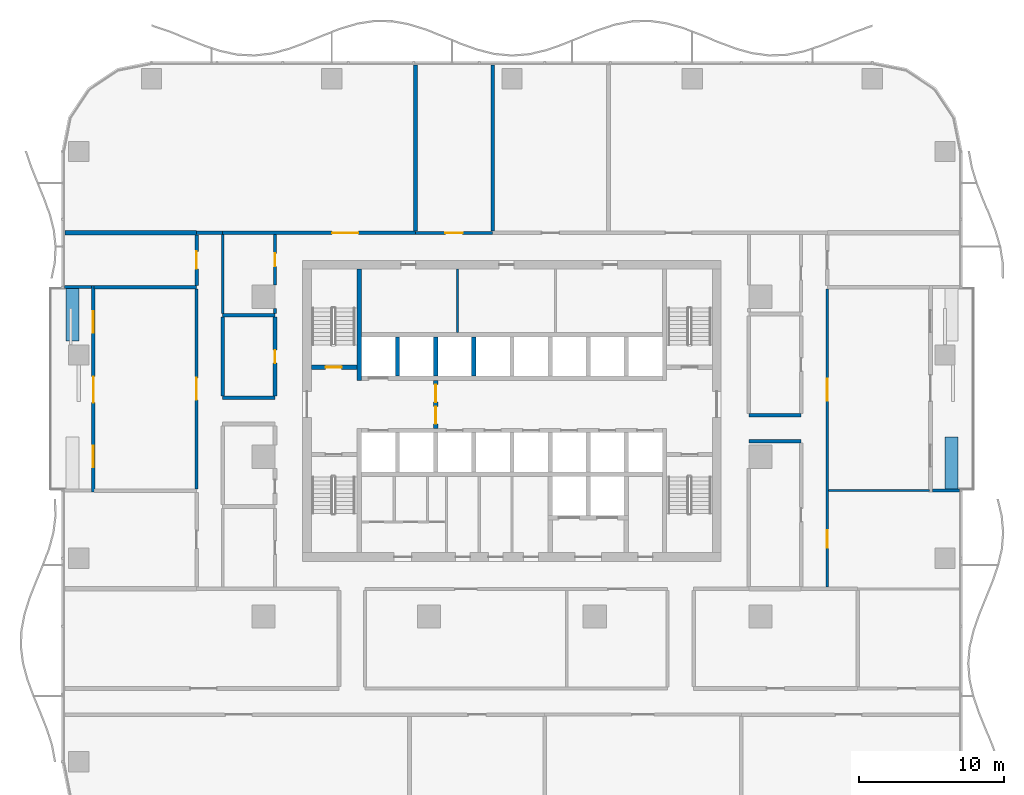
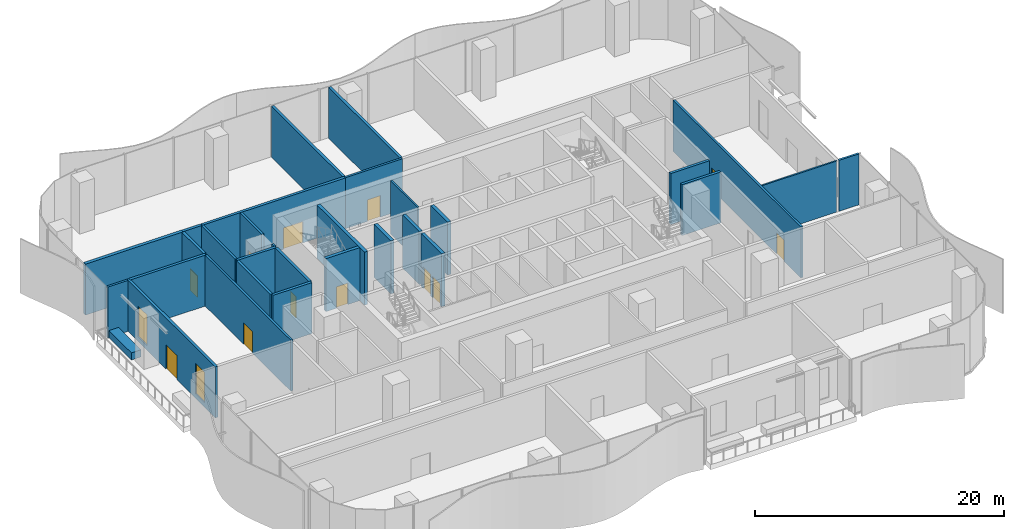
# One storey, part 10 of 21: 32 walls, 12 doors, 2 windows, 14 openings.
"""IFC4 building model written with IfcOpenShell, lengths in metres."""

from ifc_helpers import new_model, si_unit, direction, frame, frame_2d, origin, place, context, subcontext, project, spatial, rectangle, extrude, material, layer, layer_set, type_object, element, fill, save


model = new_model("IFC4")

# Units and contexts
model_context = context("Model", 3, precision=1e-05, world=origin(), true_north=direction((0.0, 1.0)))
body_context = subcontext(model_context, "Body", "Model", "MODEL_VIEW")
ifc_project = project(units=[si_unit("LENGTHUNIT", "METRE"), si_unit("AREAUNIT", "SQUARE_METRE"), si_unit("VOLUMEUNIT", "CUBIC_METRE"), si_unit("PLANEANGLEUNIT", "RADIAN"), si_unit("MASSUNIT", "GRAM", prefix="KILO")], contexts=[model_context])

# Site, building, storey
site_placement = place(None, origin())
site = spatial("IfcSite", under=ifc_project, at=site_placement, CompositionType="ELEMENT")
building_placement = place(site_placement, origin())
building = spatial("IfcBuilding", under=site, at=building_placement, Name="Mopane Tessera Tower", CompositionType="ELEMENT")
storey_placement = place(building_placement, frame((0.0, 0.0, 20.0)))
storey = spatial("IfcBuildingStorey", under=building, at=storey_placement, Name="L03", CompositionType="ELEMENT", Elevation=20.0)

# Walls
ifc_material_1 = material(Name="Fire-rated gypsum board partition")
ifc_layer_1 = layer(ifc_material_1, 0.14990234375)
ifc_layer_set_1 = layer_set([ifc_layer_1], Name="Fire-rated gypsum board partition")
wall_type_1 = type_object("IfcWallType", Name="Core room partition 150 mm", PredefinedType="PARTITIONING", material=ifc_layer_set_1)
wall_1_placement = place(storey_placement, frame((-3.75, 8.550048828125, 0.0), z_axis=(0.0, 0.0, 1.0), x_axis=(0.0, 1.0, 0.0)))
element("IfcWall", 1, at=wall_1_placement, inside=storey, type_object=wall_type_1, Name="L03 Room partition", PredefinedType="PARTITIONING", context=body_context, shape_type="SweptSolid", body=[
    extrude(rectangle(XDim=4.349853515625, YDim=0.14990234375, at=frame_2d((2.1748046875, 0.0))), origin(), (0.0, 0.0, 1.0), 5.199951171875),
])
ifc_material_2 = material(Name="Concrete C60/75", Category="concrete")
ifc_layer_2 = layer(ifc_material_2, 0.300048828125)
ifc_layer_set_2 = layer_set([ifc_layer_2], Name="Concrete C60/75")
wall_type_2 = type_object("IfcWallType", Name="Core spine wall 300 mm", PredefinedType="SHEAR", material=ifc_layer_set_2)
wall_2_placement = place(storey_placement, frame((-10.5, 5.25, 0.0), z_axis=(0.0, 0.0, 1.0), x_axis=(0.0, 1.0, 0.0)))
element("IfcWall", 2, at=wall_2_placement, inside=storey, type_object=wall_type_2, Name="L03 Core spine wall", PredefinedType="SHEAR", context=body_context, shape_type="SweptSolid", body=[
    extrude(rectangle(XDim=7.64990234375, YDim=0.300048828125, at=frame_2d((3.824951171875, 0.0))), origin(), (0.0, 0.0, 1.0), 5.199951171875),
])

# Wall, opening, door
ifc_material_3 = material(Name="Gypsum board on steel studs, two layers each face, mineral wool infill", Category="steel")
ifc_layer_3 = layer(ifc_material_3, 0.199951171875)
ifc_layer_set_3 = layer_set([ifc_layer_3], Name="Gypsum board on steel studs, two layers each face, mineral wool infill")
wall_type_3 = type_object("IfcWallType", Name="Gypsum board corridor wall 200, rated EI 60", PredefinedType="PARTITIONING", material=ifc_layer_set_3)
wall_3_placement = place(storey_placement, frame((-6.639892578125, 15.39990234375, 0.0), z_axis=(0.0, 0.0, 1.0), x_axis=(1.0, 0.0, 0.0)))
wall_3 = element("IfcWall", 3, at=wall_3_placement, inside=storey, type_object=wall_type_3, Name="Partition L03:025", PredefinedType="PARTITIONING", context=body_context, shape_type="SweptSolid", body=[
    extrude(rectangle(XDim=5.309814453125, YDim=0.199951171875, at=frame_2d((2.65478515625, 0.0))), origin(), (0.0, 0.0, 1.0), 5.0),
])
opening_1_placement = place(wall_3_placement, frame((2.054931640625, 0.0, 0.0)))
opening_1 = element("IfcOpeningElement", 4, at=opening_1_placement, cuts=wall_3, Name="Opening L03-24", PredefinedType="OPENING", context=body_context, shape_type="SweptSolid", body=[
    extrude(rectangle(XDim=1.199951171875, YDim=2.10009765625, at=frame_2d((0.60009765625, 1.050048828125))), frame((0.0, 0.112060546875, 0.0), z_axis=(0.0, -1.0, 0.0), x_axis=(1.0, 0.0, 0.0)), (0.0, 0.0, 1.0), 0.223876953125),
])
ifc_material_4 = material(Name="Timber veneered steel-framed fire door", Category="steel")
door_type_1 = type_object("IfcDoorType", Name="Fire door FD60 1200 x 2100", OperationType="SINGLE_SWING_LEFT", PredefinedType="DOOR", material=ifc_material_4)
door_1_placement = place(opening_1_placement, origin())
door_1 = element("IfcDoor", 5, at=door_1_placement, inside=storey, type_object=door_type_1, Name="Door L03-24", ObjectType="D15A", OperationType="SINGLE_SWING_LEFT", OverallHeight=2.10009765625, OverallWidth=1.199951171875, PredefinedType="DOOR", context=body_context, shape_type="SweptSolid", body=[
    extrude(rectangle(XDim=1.199951171875, YDim=2.10009765625, at=frame_2d((0.60009765625, 1.050048828125))), frame((0.0, 0.02490234375, 0.0), z_axis=(0.0, -1.0, 0.0), x_axis=(1.0, 0.0, 0.0)), (0.0, 0.0, 1.0), 0.050048828125),
])
fill(opening_1, door_1)

wall_4_placement = place(storey_placement, frame((-21.699951171875, -2.2099609375, 0.0), z_axis=(0.0, 0.0, 1.0), x_axis=(0.0, 1.0, 0.0)))
wall_4 = element("IfcWall", 6, at=wall_4_placement, inside=storey, type_object=wall_type_3, Name="Partition L03:031", PredefinedType="PARTITIONING", context=body_context, shape_type="SweptSolid", body=[
    extrude(rectangle(XDim=13.75, YDim=0.199951171875, at=frame_2d((6.875, 0.0))), origin(), (0.0, 0.0, 1.0), 5.0),
])
opening_2_placement = place(wall_4_placement, frame((6.125, 0.0, 0.0)))
opening_2 = element("IfcOpeningElement", 7, at=opening_2_placement, cuts=wall_4, Name="Opening L03-18", PredefinedType="OPENING", context=body_context, shape_type="SweptSolid", body=[
    extrude(rectangle(XDim=1.5, YDim=2.10009765625, at=frame_2d((0.75, 1.050048828125))), frame((0.0, 0.112060546875, 0.0), z_axis=(0.0, -1.0, 0.0), x_axis=(1.0, 0.0, 0.0)), (0.0, 0.0, 1.0), 0.223876953125),
])
ifc_material_5 = material(Name="Timber veneered steel-framed fire door", Category="steel")
door_type_2 = type_object("IfcDoorType", Name="Fire door pair FD60 1500 x 2100", OperationType="DOUBLE_DOOR_SINGLE_SWING", PredefinedType="DOOR", material=ifc_material_5)
door_2_placement = place(opening_2_placement, origin())
door_2 = element("IfcDoor", 8, at=door_2_placement, inside=storey, type_object=door_type_2, Name="Door L03-18", ObjectType="D17A", OperationType="DOUBLE_DOOR_SINGLE_SWING", OverallHeight=2.10009765625, OverallWidth=1.5, PredefinedType="DOOR", context=body_context, shape_type="SweptSolid", body=[
    extrude(rectangle(XDim=1.5, YDim=2.10009765625, at=frame_2d((0.75, 1.050048828125))), frame((0.0, 0.02490234375, 0.0), z_axis=(0.0, -1.0, 0.0), x_axis=(1.0, 0.0, 0.0)), (0.0, 0.0, 1.0), 0.050048828125),
])
fill(opening_2, door_2)

# Walls
wall_5_placement = place(storey_placement, frame((-19.89990234375, 9.85009765625, 0.0), z_axis=(0.0, 0.0, 1.0), x_axis=(0.0, 1.0, 0.0)))
element("IfcWall", 9, at=wall_5_placement, inside=storey, type_object=wall_type_3, Name="Partition L03:035", PredefinedType="PARTITIONING", context=body_context, shape_type="SweptSolid", body=[
    extrude(rectangle(XDim=5.4248046875, YDim=0.199951171875, at=frame_2d((2.71240234375, 0.0))), origin(), (0.0, 0.0, 1.0), 5.0),
])
wall_6_placement = place(storey_placement, frame((-16.300048828125, 9.85009765625, 0.0), z_axis=(0.0, 0.0, 1.0), x_axis=(0.0, 1.0, 0.0)))
element("IfcWall", 10, at=wall_6_placement, inside=storey, type_object=wall_type_3, Name="Partition L03:039", PredefinedType="PARTITIONING", context=body_context, shape_type="SweptSolid", body=[
    extrude(rectangle(XDim=0.349853515625, YDim=0.199951171875, at=frame_2d((0.1748046875, 0.0))), origin(), (0.0, 0.0, 1.0), 5.0),
])

# Wall, opening, door
wall_7_placement = place(storey_placement, frame((-16.300048828125, 11.800048828125, 0.0), z_axis=(0.0, 0.0, 1.0), x_axis=(0.0, 1.0, 0.0)))
wall_7 = element("IfcWall", 11, at=wall_7_placement, inside=storey, type_object=wall_type_3, Name="Partition L03:040", PredefinedType="PARTITIONING", context=body_context, shape_type="SweptSolid", body=[
    extrude(rectangle(XDim=3.474853515625, YDim=0.199951171875, at=frame_2d((1.7373046875, 0.0))), origin(), (0.0, 0.0, 1.0), 5.0),
])
opening_3_placement = place(wall_7_placement, frame((1.28759765625, 0.0, 0.0)))
opening_3 = element("IfcOpeningElement", 12, at=opening_3_placement, cuts=wall_7, Name="Opening L03-23", PredefinedType="OPENING", context=body_context, shape_type="SweptSolid", body=[
    extrude(rectangle(XDim=0.89990234375, YDim=2.10009765625, at=frame_2d((0.449951171875, 1.050048828125))), frame((0.0, 0.112060546875, 0.0), z_axis=(0.0, -1.0, 0.0), x_axis=(1.0, 0.0, 0.0)), (0.0, 0.0, 1.0), 0.223876953125),
])
ifc_material_6 = material(Name="Timber veneered steel-framed fire door", Category="steel")
door_type_3 = type_object("IfcDoorType", Name="Fire door FD60 900 x 2100", OperationType="SINGLE_SWING_LEFT", PredefinedType="DOOR", material=ifc_material_6)
door_3_placement = place(opening_3_placement, origin())
door_3 = element("IfcDoor", 13, at=door_3_placement, inside=storey, type_object=door_type_3, Name="Door L03-23", ObjectType="D10A", OperationType="SINGLE_SWING_RIGHT", OverallHeight=2.10009765625, OverallWidth=0.89990234375, PredefinedType="DOOR", context=body_context, shape_type="SweptSolid", body=[
    extrude(rectangle(XDim=0.89990234375, YDim=2.10009765625, at=frame_2d((0.449951171875, 1.050048828125))), frame((0.0, 0.02490234375, 0.0), z_axis=(0.0, -1.0, 0.0), x_axis=(1.0, 0.0, 0.0)), (0.0, 0.0, 1.0), 0.050048828125),
])
fill(opening_3, door_3)

# Wall, openings, doors
wall_8_placement = place(storey_placement, frame((21.699951171875, -8.97509765625, 0.0), z_axis=(0.0, 0.0, 1.0), x_axis=(0.0, 1.0, 0.0)))
wall_8 = element("IfcWall", 14, at=wall_8_placement, inside=storey, type_object=wall_type_3, Name="Partition L03:062", PredefinedType="PARTITIONING", context=body_context, shape_type="SweptSolid", body=[
    extrude(rectangle(XDim=20.51513671875, YDim=0.199951171875, at=frame_2d((10.257568359375, 0.0))), origin(), (0.0, 0.0, 1.0), 5.0),
])
opening_4_placement = place(wall_8_placement, frame((2.719970703125, 0.0, 0.0)))
opening_4 = element("IfcOpeningElement", 15, at=opening_4_placement, cuts=wall_8, Name="Opening L03-03", PredefinedType="OPENING", context=body_context, shape_type="SweptSolid", body=[
    extrude(rectangle(XDim=1.199951171875, YDim=2.10009765625, at=frame_2d((0.60009765625, 1.050048828125))), frame((0.0, 0.112060546875, 0.0), z_axis=(0.0, -1.0, 0.0), x_axis=(1.0, 0.0, 0.0)), (0.0, 0.0, 1.0), 0.223876953125),
])
opening_5_placement = place(wall_8_placement, frame((12.827392578125, 0.0, 0.0)))
opening_5 = element("IfcOpeningElement", 16, at=opening_5_placement, cuts=wall_8, Name="Opening L03-20", PredefinedType="OPENING", context=body_context, shape_type="SweptSolid", body=[
    extrude(rectangle(XDim=1.5, YDim=2.10009765625, at=frame_2d((0.75, 1.050048828125))), frame((0.0, 0.112060546875, 0.0), z_axis=(0.0, -1.0, 0.0), x_axis=(1.0, 0.0, 0.0)), (0.0, 0.0, 1.0), 0.223876953125),
])
door_4_placement = place(opening_4_placement, origin())
door_4 = element("IfcDoor", 17, at=door_4_placement, inside=storey, type_object=door_type_1, Name="Door L03-03", ObjectType="D15A", OperationType="SINGLE_SWING_LEFT", OverallHeight=2.10009765625, OverallWidth=1.199951171875, PredefinedType="DOOR", context=body_context, shape_type="SweptSolid", body=[
    extrude(rectangle(XDim=1.199951171875, YDim=2.10009765625, at=frame_2d((0.60009765625, 1.050048828125))), frame((0.0, 0.02490234375, 0.0), z_axis=(0.0, -1.0, 0.0), x_axis=(1.0, 0.0, 0.0)), (0.0, 0.0, 1.0), 0.050048828125),
])
fill(opening_4, door_4)
door_5_placement = place(opening_5_placement, origin())
door_5 = element("IfcDoor", 18, at=door_5_placement, inside=storey, type_object=door_type_2, Name="Door L03-20", ObjectType="D17A", OperationType="DOUBLE_DOOR_SINGLE_SWING", OverallHeight=2.10009765625, OverallWidth=1.5, PredefinedType="DOOR", context=body_context, shape_type="SweptSolid", body=[
    extrude(rectangle(XDim=1.5, YDim=2.10009765625, at=frame_2d((0.75, 1.050048828125))), frame((0.0, 0.02490234375, 0.0), z_axis=(0.0, -1.0, 0.0), x_axis=(1.0, 0.0, 0.0)), (0.0, 0.0, 1.0), 0.050048828125),
])
fill(opening_5, door_5)

# Wall
ifc_material_7 = material(Name="Gypsum board on steel studs, mineral wool infill", Category="steel")
ifc_layer_4 = layer(ifc_material_7, 0.14990234375)
ifc_layer_set_4 = layer_set([ifc_layer_4], Name="Gypsum board on steel studs, mineral wool infill")
wall_type_4 = type_object("IfcWallType", Name="Gypsum board partition 150, rated EI 60", PredefinedType="PARTITIONING", material=ifc_layer_set_4)
wall_9_placement = place(storey_placement, frame((21.800048828125, -2.3349609375, 0.0), z_axis=(0.0, 0.0, 1.0), x_axis=(1.0, 0.0, 0.0)))
element("IfcWall", 19, at=wall_9_placement, inside=storey, type_object=wall_type_4, Name="Partition L03:015", PredefinedType="PARTITIONING", context=body_context, shape_type="SweptSolid", body=[
    extrude(rectangle(XDim=6.949951171875, YDim=0.14990234375, at=frame_2d((3.47509765625, 0.0))), origin(), (0.0, 0.0, 1.0), 5.0),
])

# Wall, opening, door
ifc_material_8 = material(Name="Concrete C50/60", Category="concrete")
ifc_layer_5 = layer(ifc_material_8, 0.300048828125)
ifc_layer_set_5 = layer_set([ifc_layer_5], Name="Concrete C50/60")
wall_type_5 = type_object("IfcWallType", Name="Lift and stair shaft wall 300 mm", PredefinedType="SOLIDWALL", material=ifc_layer_set_5)
wall_10_placement = place(storey_placement, frame((-13.800048828125, 6.14990234375, 0.0), z_axis=(0.0, 0.0, 1.0), x_axis=(1.0, 0.0, 0.0)))
wall_10 = element("IfcWall", 20, at=wall_10_placement, inside=storey, type_object=wall_type_5, Name="L03 Stair enclosure wall", PredefinedType="SOLIDWALL", context=body_context, shape_type="SweptSolid", body=[
    extrude(rectangle(XDim=3.150146484375, YDim=0.300048828125, at=frame_2d((1.5751953125, 0.0))), origin(), (0.0, 0.0, 1.0), 5.199951171875),
])
opening_6_placement = place(wall_10_placement, frame((0.97509765625, 0.0, 0.0)))
opening_6 = element("IfcOpeningElement", 21, at=opening_6_placement, cuts=wall_10, Name="Opening SD1", PredefinedType="OPENING", context=body_context, shape_type="SweptSolid", body=[
    extrude(rectangle(XDim=1.10009765625, YDim=2.10009765625, at=frame_2d((0.550048828125, 1.050048828125))), frame((0.0, 0.162109375, 0.0), z_axis=(0.0, -1.0, 0.0), x_axis=(1.0, 0.0, 0.0)), (0.0, 0.0, 1.0), 0.323974609375),
])
ifc_material_9 = material(Name="Steel fire door", Category="steel")
door_type_4 = type_object("IfcDoorType", Name="Stair fire door 1100 x 2100", OperationType="SINGLE_SWING_LEFT", PredefinedType="DOOR", material=ifc_material_9)
door_6_placement = place(opening_6_placement, origin())
door_6 = element("IfcDoor", 22, at=door_6_placement, inside=storey, type_object=door_type_4, Name="L03 Stair door ST2", OperationType="SINGLE_SWING_LEFT", OverallHeight=2.10009765625, OverallWidth=1.10009765625, PredefinedType="DOOR", context=body_context, shape_type="SweptSolid", body=[
    extrude(rectangle(XDim=1.10009765625, YDim=2.10009765625, at=frame_2d((0.550048828125, 1.050048828125))), frame((0.0, 0.02490234375, 0.0), z_axis=(0.0, -1.0, 0.0), x_axis=(1.0, 0.0, 0.0)), (0.0, 0.0, 1.0), 0.050048828125),
])
fill(opening_6, door_6)

# Walls
for number, where, z_axis, x_axis, name in (
    (23, (-7.875, 5.550048828125, 0.0), (0.0, 0.0, 1.0), (0.0, 1.0, 0.0), "L03 Lift shaft wall"),
    (24, (-5.25, 5.550048828125, 0.0), (0.0, 0.0, 1.0), (0.0, 1.0, 0.0), "L03 Lift shaft wall"),
    (25, (-2.625, 5.550048828125, 0.0), (0.0, 0.0, 1.0), (0.0, 1.0, 0.0), "L03 Lift shaft wall"),
):
    element("IfcWall", number, at=place(storey_placement, frame(where, z_axis=z_axis, x_axis=x_axis)), inside=storey, type_object=wall_type_5, Name=name, PredefinedType="SOLIDWALL", context=body_context, shape_type="SweptSolid", body=[
        extrude(rectangle(XDim=2.699951171875, YDim=0.300048828125, at=frame_2d((1.35009765625, 0.0))), origin(), (0.0, 0.0, 1.0), 5.199951171875),
    ])

# Wall, openings, doors
ifc_material_10 = material(Name="Concrete C50/60", Category="concrete")
ifc_layer_6 = layer(ifc_material_10, 0.300048828125)
ifc_layer_set_6 = layer_set([ifc_layer_6], Name="Concrete C50/60")
wall_type_6 = type_object("IfcWallType", Name="Lobby and refuge room wall 300 mm", PredefinedType="SOLIDWALL", material=ifc_layer_set_6)
wall_11_placement = place(storey_placement, frame((-5.25, 1.949951171875, 0.0), z_axis=(0.0, 0.0, 1.0), x_axis=(0.0, 1.0, 0.0)))
wall_11 = element("IfcWall", 26, at=wall_11_placement, inside=storey, type_object=wall_type_6, Name="L03 Fire-fighting lobby wall", PredefinedType="SOLIDWALL", context=body_context, shape_type="SweptSolid", body=[
    extrude(rectangle(XDim=3.300048828125, YDim=0.300048828125, at=frame_2d((1.64990234375, 0.0))), origin(), (0.0, 0.0, 1.0), 5.199951171875),
])
opening_7_placement = place(wall_11_placement, frame((0.300048828125, 0.0, 0.0)))
opening_7 = element("IfcOpeningElement", 27, at=opening_7_placement, cuts=wall_11, Name="Opening SD3", PredefinedType="OPENING", context=body_context, shape_type="SweptSolid", body=[
    extrude(rectangle(XDim=1.199951171875, YDim=2.10009765625, at=frame_2d((0.60009765625, 1.050048828125))), frame((0.0, 0.162109375, 0.0), z_axis=(0.0, -1.0, 0.0), x_axis=(1.0, 0.0, 0.0)), (0.0, 0.0, 1.0), 0.323974609375),
])
opening_8_placement = place(wall_11_placement, frame((1.800048828125, 0.0, 0.0)))
opening_8 = element("IfcOpeningElement", 28, at=opening_8_placement, cuts=wall_11, Name="Opening SD3", PredefinedType="OPENING", context=body_context, shape_type="SweptSolid", body=[
    extrude(rectangle(XDim=1.199951171875, YDim=2.10009765625, at=frame_2d((0.60009765625, 1.050048828125))), frame((0.0, 0.162109375, 0.0), z_axis=(0.0, -1.0, 0.0), x_axis=(1.0, 0.0, 0.0)), (0.0, 0.0, 1.0), 0.323974609375),
])
ifc_material_11 = material(Name="Steel fire door", Category="steel")
door_type_5 = type_object("IfcDoorType", Name="Lobby fire door 1200 x 2100", OperationType="SINGLE_SWING_LEFT", PredefinedType="DOOR", material=ifc_material_11)
door_7_placement = place(opening_7_placement, origin())
door_7 = element("IfcDoor", 29, at=door_7_placement, inside=storey, type_object=door_type_5, Name="L03 Fire-fighting lobby door", OperationType="SINGLE_SWING_LEFT", OverallHeight=2.10009765625, OverallWidth=1.199951171875, PredefinedType="DOOR", context=body_context, shape_type="SweptSolid", body=[
    extrude(rectangle(XDim=1.199951171875, YDim=2.10009765625, at=frame_2d((0.60009765625, 1.050048828125))), frame((0.0, 0.02490234375, 0.0), z_axis=(0.0, -1.0, 0.0), x_axis=(1.0, 0.0, 0.0)), (0.0, 0.0, 1.0), 0.050048828125),
])
fill(opening_7, door_7)
door_8_placement = place(opening_8_placement, origin())
door_8 = element("IfcDoor", 30, at=door_8_placement, inside=storey, type_object=door_type_5, Name="L03 Fire-fighting lobby door", OperationType="SINGLE_SWING_RIGHT", OverallHeight=2.10009765625, OverallWidth=1.199951171875, PredefinedType="DOOR", context=body_context, shape_type="SweptSolid", body=[
    extrude(rectangle(XDim=1.199951171875, YDim=2.10009765625, at=frame_2d((0.60009765625, 1.050048828125))), frame((0.0, 0.02490234375, 0.0), z_axis=(0.0, -1.0, 0.0), x_axis=(1.0, 0.0, 0.0)), (0.0, 0.0, 1.0), 0.050048828125),
])
fill(opening_8, door_8)

# Walls
ifc_material_12 = material(Name="Reinforced concrete C32/40 with waterproofing", Category="concrete")
ifc_layer_7 = layer(ifc_material_12, 0.89990234375)
ifc_layer_set_7 = layer_set([ifc_layer_7], Name="Reinforced concrete C32/40 with waterproofing")
wall_type_7 = type_object("IfcWallType", Name="Planter trough 3600 x 900", PredefinedType="STANDARD", material=ifc_layer_set_7)
for number, where, z_axis, x_axis, name in (
    (31, (30.25, -2.2333984375, 0.0), (0.0, 0.0, 1.0), (0.0, 1.0, 0.0), "e:nw:L03:N2:pl0"),
    (32, (-30.25, 11.566650390625, 0.0), (0.0, 0.0, 1.0), (0.0, -1.0, 0.0), "e:nw:L03:N3:pl0"),
):
    element("IfcWall", number, at=place(storey_placement, frame(where, z_axis=z_axis, x_axis=x_axis)), inside=storey, type_object=wall_type_7, Name=name, PredefinedType="STANDARD", context=body_context, shape_type="SweptSolid", body=[
        extrude(rectangle(XDim=3.60009765625, YDim=0.89990234375, at=frame_2d((1.800048828125, 0.0))), origin(), (0.0, 0.0, 1.0), 0.699951171875),
    ])
ifc_material_13 = material(Name="Plastered concrete blockwork C20/25", Category="masonry")
ifc_layer_8 = layer(ifc_material_13, 0.300048828125)
ifc_layer_set_8 = layer_set([ifc_layer_8], Name="Plastered concrete blockwork C20/25")
wall_type_8 = type_object("IfcWallType", Name="Plastered blockwork separation wall 300, rated EI 120", PredefinedType="PARTITIONING", material=ifc_layer_set_8)
wall_12_placement = place(storey_placement, frame((-30.75, 15.39990234375, 0.0), z_axis=(0.0, 0.0, 1.0), x_axis=(1.0, 0.0, 0.0)))
element("IfcWall", 33, at=wall_12_placement, inside=storey, type_object=wall_type_8, Name="Partition L03:029", PredefinedType="PARTITIONING", context=body_context, shape_type="SweptSolid", body=[
    extrude(rectangle(XDim=9.050048828125, YDim=0.300048828125, at=frame_2d((4.52490234375, 0.0))), origin(), (0.0, 0.0, 1.0), 5.0),
])
ifc_material_14 = material(Name="Plastered concrete blockwork C20/25", Category="masonry")
ifc_layer_9 = layer(ifc_material_14, 0.25)
ifc_layer_set_9 = layer_set([ifc_layer_9], Name="Plastered concrete blockwork C20/25")
wall_type_9 = type_object("IfcWallType", Name="Plastered blockwork wall 250, rated EI 120", PredefinedType="PARTITIONING", material=ifc_layer_set_9)
for number, where, z_axis, x_axis, name in (
    (34, (16.300048828125, 1.050048828125, 0.0), (0.0, 0.0, 1.0), (1.0, 0.0, 0.0), "Partition L03:017"),
    (35, (16.300048828125, 2.85009765625, 0.0), (0.0, 0.0, 1.0), (1.0, 0.0, 0.0), "Partition L03:019"),
    (36, (-19.89990234375, 4.050048828125, 0.0), (0.0, 0.0, 1.0), (1.0, 0.0, 0.0), "Partition L03:020"),
    (37, (-19.89990234375, 9.72509765625, 0.0), (0.0, 0.0, 1.0), (1.0, 0.0, 0.0), "Partition L03:021"),
):
    element("IfcWall", number, at=place(storey_placement, frame(where, z_axis=z_axis, x_axis=x_axis)), inside=storey, type_object=wall_type_9, Name=name, PredefinedType="PARTITIONING", context=body_context, shape_type="SweptSolid", body=[
        extrude(rectangle(XDim=3.599853515625, YDim=0.25, at=frame_2d((1.7998046875, 0.0))), origin(), (0.0, 0.0, 1.0), 5.0),
    ])
wall_13_placement = place(storey_placement, frame((-28.75, 11.6650390625, 0.0), z_axis=(0.0, 0.0, 1.0), x_axis=(1.0, 0.0, 0.0)))
element("IfcWall", 38, at=wall_13_placement, inside=storey, type_object=wall_type_9, Name="Partition L03:023", PredefinedType="PARTITIONING", context=body_context, shape_type="SweptSolid", body=[
    extrude(rectangle(XDim=7.050048828125, YDim=0.25, at=frame_2d((3.52490234375, 0.0))), origin(), (0.0, 0.0, 1.0), 5.0),
])
wall_14_placement = place(storey_placement, frame((-21.699951171875, 15.39990234375, 0.0), z_axis=(0.0, 0.0, 1.0), x_axis=(1.0, 0.0, 0.0)))
element("IfcWall", 39, at=wall_14_placement, inside=storey, type_object=wall_type_9, Name="Partition L03:026", PredefinedType="PARTITIONING", context=body_context, shape_type="SweptSolid", body=[
    extrude(rectangle(XDim=1.77490234375, YDim=0.25, at=frame_2d((0.887451171875, 0.0))), origin(), (0.0, 0.0, 1.0), 5.0),
])

# Wall, opening, door
wall_15_placement = place(storey_placement, frame((-19.89990234375, 15.39990234375, 0.0), z_axis=(0.0, 0.0, 1.0), x_axis=(1.0, 0.0, 0.0)))
wall_15 = element("IfcWall", 40, at=wall_15_placement, inside=storey, type_object=wall_type_9, Name="Partition L03:027", PredefinedType="PARTITIONING", context=body_context, shape_type="SweptSolid", body=[
    extrude(rectangle(XDim=13.260009765625, YDim=0.25, at=frame_2d((6.6298828125, 0.0))), origin(), (0.0, 0.0, 1.0), 5.0),
])
opening_9_placement = place(wall_15_placement, frame((7.530029296875, 0.0, 0.0)))
opening_9 = element("IfcOpeningElement", 41, at=opening_9_placement, cuts=wall_15, Name="Opening L03-01", PredefinedType="OPENING", context=body_context, shape_type="SweptSolid", body=[
    extrude(rectangle(XDim=1.800048828125, YDim=2.10009765625, at=frame_2d((0.89990234375, 1.050048828125))), frame((0.0, 0.136962890625, 0.0), z_axis=(0.0, -1.0, 0.0), x_axis=(1.0, 0.0, 0.0)), (0.0, 0.0, 1.0), 0.27392578125),
])
ifc_material_15 = material(Name="Timber veneered steel-framed fire door", Category="steel")
door_type_6 = type_object("IfcDoorType", Name="Fire door pair FD120 1800 x 2100", OperationType="DOUBLE_DOOR_SINGLE_SWING", PredefinedType="DOOR", material=ifc_material_15)
door_9_placement = place(opening_9_placement, origin())
door_9 = element("IfcDoor", 42, at=door_9_placement, inside=storey, type_object=door_type_6, Name="Door L03-01", ObjectType="D20B", OperationType="DOUBLE_DOOR_SINGLE_SWING", OverallHeight=2.10009765625, OverallWidth=1.800048828125, PredefinedType="DOOR", context=body_context, shape_type="SweptSolid", body=[
    extrude(rectangle(XDim=1.800048828125, YDim=2.10009765625, at=frame_2d((0.89990234375, 1.050048828125))), frame((0.0, 0.02490234375, 0.0), z_axis=(0.0, -1.0, 0.0), x_axis=(1.0, 0.0, 0.0)), (0.0, 0.0, 1.0), 0.050048828125),
])
fill(opening_9, door_9)

wall_16_placement = place(storey_placement, frame((-21.699951171875, 11.7900390625, 0.0), z_axis=(0.0, 0.0, 1.0), x_axis=(0.0, 1.0, 0.0)))
wall_16 = element("IfcWall", 43, at=wall_16_placement, inside=storey, type_object=wall_type_9, Name="Partition L03:033", PredefinedType="PARTITIONING", context=body_context, shape_type="SweptSolid", body=[
    extrude(rectangle(XDim=3.4599609375, YDim=0.25, at=frame_2d((1.72998046875, 0.0))), origin(), (0.0, 0.0, 1.0), 5.0),
])
opening_10_placement = place(wall_16_placement, frame((1.1298828125, 0.0, 0.0)))
opening_10 = element("IfcOpeningElement", 44, at=opening_10_placement, cuts=wall_16, Name="Opening L03-06", PredefinedType="OPENING", context=body_context, shape_type="SweptSolid", body=[
    extrude(rectangle(XDim=1.199951171875, YDim=2.10009765625, at=frame_2d((0.60009765625, 1.050048828125))), frame((0.0, 0.136962890625, 0.0), z_axis=(0.0, -1.0, 0.0), x_axis=(1.0, 0.0, 0.0)), (0.0, 0.0, 1.0), 0.27392578125),
])
ifc_material_16 = material(Name="Timber veneered steel-framed fire door", Category="steel")
door_type_7 = type_object("IfcDoorType", Name="Fire door FD120 1200 x 2100", OperationType="SINGLE_SWING_LEFT", PredefinedType="DOOR", material=ifc_material_16)
door_10_placement = place(opening_10_placement, origin())
door_10 = element("IfcDoor", 45, at=door_10_placement, inside=storey, type_object=door_type_7, Name="Door L03-06", ObjectType="D15B", OperationType="SINGLE_SWING_RIGHT", OverallHeight=2.10009765625, OverallWidth=1.199951171875, PredefinedType="DOOR", context=body_context, shape_type="SweptSolid", body=[
    extrude(rectangle(XDim=1.199951171875, YDim=2.10009765625, at=frame_2d((0.60009765625, 1.050048828125))), frame((0.0, 0.02490234375, 0.0), z_axis=(0.0, -1.0, 0.0), x_axis=(1.0, 0.0, 0.0)), (0.0, 0.0, 1.0), 0.050048828125),
])
fill(opening_10, door_10)

# Wall
wall_17_placement = place(storey_placement, frame((-19.89990234375, 4.175048828125, 0.0), z_axis=(0.0, 0.0, 1.0), x_axis=(0.0, 1.0, 0.0)))
element("IfcWall", 46, at=wall_17_placement, inside=storey, type_object=wall_type_9, Name="Partition L03:037", PredefinedType="PARTITIONING", context=body_context, shape_type="SweptSolid", body=[
    extrude(rectangle(XDim=5.425048828125, YDim=0.25, at=frame_2d((2.71240234375, 0.0))), origin(), (0.0, 0.0, 1.0), 5.0),
])

# Wall, opening, door
wall_18_placement = place(storey_placement, frame((-16.300048828125, 4.175048828125, 0.0), z_axis=(0.0, 0.0, 1.0), x_axis=(0.0, 1.0, 0.0)))
wall_18 = element("IfcWall", 47, at=wall_18_placement, inside=storey, type_object=wall_type_9, Name="Partition L03:043", PredefinedType="PARTITIONING", context=body_context, shape_type="SweptSolid", body=[
    extrude(rectangle(XDim=5.425048828125, YDim=0.25, at=frame_2d((2.71240234375, 0.0))), origin(), (0.0, 0.0, 1.0), 5.0),
])
opening_11_placement = place(wall_18_placement, frame((2.262451171875, 0.0, 0.0)))
opening_11 = element("IfcOpeningElement", 48, at=opening_11_placement, cuts=wall_18, Name="Opening L03-14", PredefinedType="OPENING", context=body_context, shape_type="SweptSolid", body=[
    extrude(rectangle(XDim=0.89990234375, YDim=2.10009765625, at=frame_2d((0.449951171875, 1.050048828125))), frame((0.0, 0.136962890625, 0.0), z_axis=(0.0, -1.0, 0.0), x_axis=(1.0, 0.0, 0.0)), (0.0, 0.0, 1.0), 0.27392578125),
])
ifc_material_17 = material(Name="Timber veneered steel-framed fire door", Category="steel")
door_type_8 = type_object("IfcDoorType", Name="Fire door FD120 900 x 2100", OperationType="SINGLE_SWING_LEFT", PredefinedType="DOOR", material=ifc_material_17)
door_11_placement = place(opening_11_placement, origin())
door_11 = element("IfcDoor", 49, at=door_11_placement, inside=storey, type_object=door_type_8, Name="Door L03-14", ObjectType="D10B", OperationType="SINGLE_SWING_RIGHT", OverallHeight=2.10009765625, OverallWidth=0.89990234375, PredefinedType="DOOR", context=body_context, shape_type="SweptSolid", body=[
    extrude(rectangle(XDim=0.89990234375, YDim=2.10009765625, at=frame_2d((0.449951171875, 1.050048828125))), frame((0.0, 0.02490234375, 0.0), z_axis=(0.0, -1.0, 0.0), x_axis=(1.0, 0.0, 0.0)), (0.0, 0.0, 1.0), 0.050048828125),
])
fill(opening_11, door_11)

# Walls
for number, where, z_axis, x_axis, name in (
    (50, (-6.639892578125, 15.52490234375, 0.0), (0.0, 0.0, 1.0), (0.0, 1.0, 0.0), "Partition L03:047"),
    (51, (-1.330078125, 15.52490234375, 0.0), (0.0, 0.0, 1.0), (0.0, 1.0, 0.0), "Partition L03:048"),
):
    element("IfcWall", number, at=place(storey_placement, frame(where, z_axis=z_axis, x_axis=x_axis)), inside=storey, type_object=wall_type_9, Name=name, PredefinedType="PARTITIONING", context=body_context, shape_type="SweptSolid", body=[
        extrude(rectangle(XDim=11.425048828125, YDim=0.25, at=frame_2d((5.71240234375, 0.0))), origin(), (0.0, 0.0, 1.0), 5.0),
    ])
ifc_material_18 = material(Name="Blockwork with glazed tile facing", Category="masonry")
ifc_layer_10 = layer(ifc_material_18, 0.199951171875)
ifc_layer_set_10 = layer_set([ifc_layer_10], Name="Blockwork with glazed tile facing")
wall_type_10 = type_object("IfcWallType", Name="Terrace cheek wall 200", PredefinedType="STANDARD", material=ifc_layer_set_10)
for number, where, z_axis, x_axis, name in (
    (52, (30.800048828125, -2.333251953125, 0.0), (0.0, 0.0, 1.0), (-1.0, 0.0, 0.0), "e:nw:L03:N2:cheeka"),
    (53, (-30.800048828125, 11.666748046875, 0.0), (0.0, 0.0, 1.0), (1.0, 0.0, 0.0), "e:nw:L03:N3:cheeka"),
):
    element("IfcWall", number, at=place(storey_placement, frame(where, z_axis=z_axis, x_axis=x_axis)), inside=storey, type_object=wall_type_10, Name=name, PredefinedType="STANDARD", context=body_context, shape_type="SweptSolid", body=[
        extrude(rectangle(XDim=1.875, YDim=0.199951171875, at=frame_2d((0.9375, 0.0))), origin(), (0.0, 0.0, 1.0), 5.0),
    ])

# Wall, openings, windows, door
ifc_material_19 = material(Name="Blockwork with turquoise glazed tile facing", Category="masonry")
ifc_layer_11 = layer(ifc_material_19, 0.25)
ifc_layer_set_11 = layer_set([ifc_layer_11], Name="Blockwork with turquoise glazed tile facing")
wall_type_11 = type_object("IfcWallType", Name="Tile-clad external wall 250, turquoise", PredefinedType="STANDARD", material=ifc_layer_set_11)
wall_19_placement = place(storey_placement, frame((-28.800048828125, 11.7666015625, 0.0), z_axis=(0.0, 0.0, 1.0), x_axis=(0.0, -1.0, 0.0)))
wall_19 = element("IfcWall", 54, at=wall_19_placement, inside=storey, type_object=wall_type_11, Name="e:nw:L03:N3:back", PredefinedType="STANDARD", context=body_context, shape_type="SweptSolid", body=[
    extrude(rectangle(XDim=14.199951171875, YDim=0.25, at=frame_2d((7.10009765625, 0.0))), origin(), (0.0, 0.0, 1.0), 5.0),
])
opening_12_placement = place(wall_19_placement, frame((1.75, 0.0, 0.449951171875)))
opening_12 = element("IfcOpeningElement", 55, at=opening_12_placement, cuts=wall_19, Name="Opening NW033A", PredefinedType="OPENING", context=body_context, shape_type="SweptSolid", body=[
    extrude(rectangle(XDim=1.5, YDim=3.0, at=frame_2d((0.75, 1.5))), frame((0.0, 0.136962890625, 0.0), z_axis=(0.0, -1.0, 0.0), x_axis=(1.0, 0.0, 0.0)), (0.0, 0.0, 1.0), 0.27392578125),
])
opening_13_placement = place(wall_19_placement, frame((6.25, 0.0, 0.0)))
opening_13 = element("IfcOpeningElement", 56, at=opening_13_placement, cuts=wall_19, Name="Opening ND033", PredefinedType="OPENING", context=body_context, shape_type="SweptSolid", body=[
    extrude(rectangle(XDim=1.800048828125, YDim=2.39990234375, at=frame_2d((0.89990234375, 1.199951171875))), frame((0.0, 0.136962890625, 0.0), z_axis=(0.0, -1.0, 0.0), x_axis=(1.0, 0.0, 0.0)), (0.0, 0.0, 1.0), 0.27392578125),
])
opening_14_placement = place(wall_19_placement, frame((11.0, 0.0, 0.449951171875)))
opening_14 = element("IfcOpeningElement", 57, at=opening_14_placement, cuts=wall_19, Name="Opening NW033B", PredefinedType="OPENING", context=body_context, shape_type="SweptSolid", body=[
    extrude(rectangle(XDim=1.5, YDim=3.0, at=frame_2d((0.75, 1.5))), frame((0.0, 0.136962890625, 0.0), z_axis=(0.0, -1.0, 0.0), x_axis=(1.0, 0.0, 0.0)), (0.0, 0.0, 1.0), 0.27392578125),
])
ifc_material_20 = material(Name="Clear laminated glass", Category="glass")
window_type = type_object("IfcWindowType", Name="Fixed window 1500 x 3000", PartitioningType="SINGLE_PANEL", PredefinedType="WINDOW", material=ifc_material_20)
window_1_placement = place(opening_12_placement, origin())
window_1 = element("IfcWindow", 58, at=window_1_placement, inside=storey, type_object=window_type, Name="e:nw:L03:N3:win0", OverallHeight=3.0, OverallWidth=1.5, PartitioningType="SINGLE_PANEL", PredefinedType="WINDOW", context=body_context, shape_type="SweptSolid", body=[
    extrude(rectangle(XDim=1.5, YDim=3.0, at=frame_2d((0.75, 1.5))), frame((0.0, 0.030029296875, 0.0), z_axis=(0.0, -1.0, 0.0), x_axis=(1.0, 0.0, 0.0)), (0.0, 0.0, 1.0), 0.06005859375),
])
fill(opening_12, window_1)
window_2_placement = place(opening_14_placement, origin())
window_2 = element("IfcWindow", 59, at=window_2_placement, inside=storey, type_object=window_type, Name="e:nw:L03:N3:win2", OverallHeight=3.0, OverallWidth=1.5, PartitioningType="SINGLE_PANEL", PredefinedType="WINDOW", context=body_context, shape_type="SweptSolid", body=[
    extrude(rectangle(XDim=1.5, YDim=3.0, at=frame_2d((0.75, 1.5))), frame((0.0, 0.030029296875, 0.0), z_axis=(0.0, -1.0, 0.0), x_axis=(1.0, 0.0, 0.0)), (0.0, 0.0, 1.0), 0.06005859375),
])
fill(opening_14, window_2)
ifc_material_21 = material(Name="Aluminium and clear glass", Category="aluminium")
door_type_9 = type_object("IfcDoorType", Name="Terrace double door 1800 x 2400", OperationType="DOUBLE_DOOR_SINGLE_SWING", PredefinedType="DOOR", material=ifc_material_21)
door_12_placement = place(opening_13_placement, origin())
door_12 = element("IfcDoor", 60, at=door_12_placement, inside=storey, type_object=door_type_9, Name="e:nw:L03:N3:door", ObjectType="D1", OperationType="DOUBLE_DOOR_SINGLE_SWING", OverallHeight=2.39990234375, OverallWidth=1.800048828125, PredefinedType="DOOR", context=body_context, shape_type="SweptSolid", body=[
    extrude(rectangle(XDim=1.800048828125, YDim=2.39990234375, at=frame_2d((0.89990234375, 1.199951171875))), frame((0.0, 0.02490234375, 0.0), z_axis=(0.0, -1.0, 0.0), x_axis=(1.0, 0.0, 0.0)), (0.0, 0.0, 1.0), 0.050048828125),
])
fill(opening_13, door_12)

save(model, "model.ifc")
